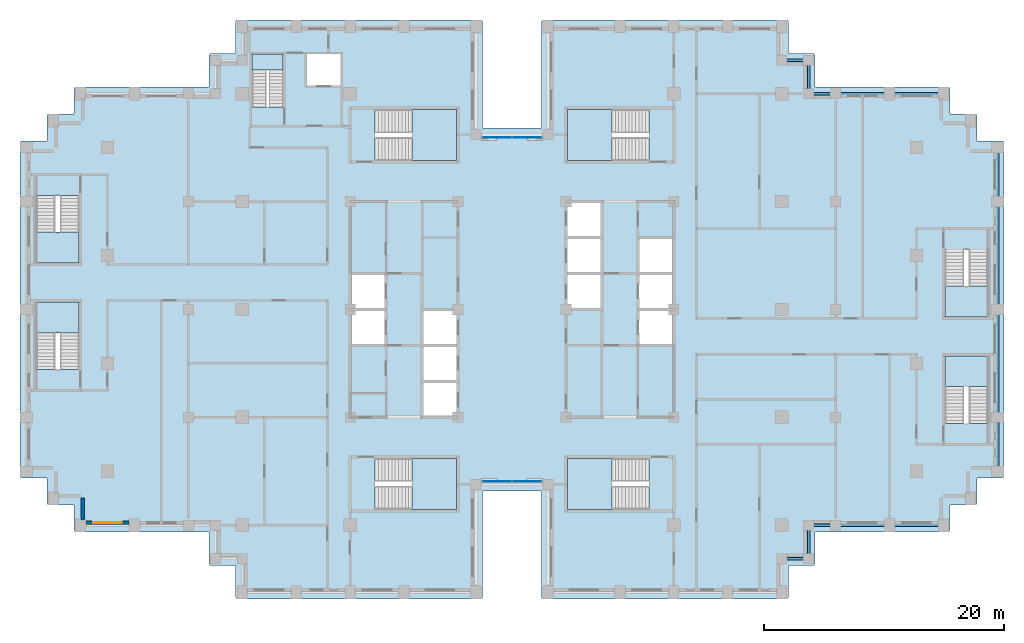
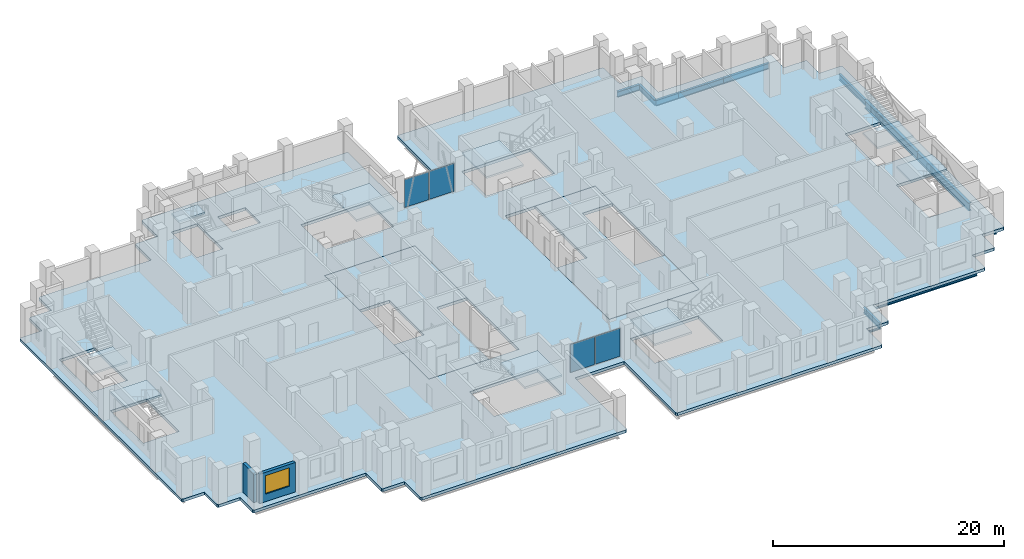
# One storey, part 5 of 16: 14 beams, 12 slabs, 4 plates, 2 walls, 1 window, 1 opening, 11 elements without a shape of their own.
"""IFC4 building model written with IfcOpenShell, lengths in metres."""

from ifc_helpers import new_model, si_unit, direction, frame, frame_2d, origin, origin_2d, place, context, subcontext, project, spatial, polyline, rectangle, i_section, outline, extrude, material, layer, layer_set, material_profile, profile_set, type_object, element, fill, aggregate, save


model = new_model("IFC4")

# Units and contexts
model_context = context("Model", 3, precision=1e-05, world=origin(), true_north=direction((0.0, 1.0)))
body_context = subcontext(model_context, "Body", "Model", "MODEL_VIEW")
ifc_project = project(units=[si_unit("LENGTHUNIT", "METRE"), si_unit("AREAUNIT", "SQUARE_METRE"), si_unit("VOLUMEUNIT", "CUBIC_METRE"), si_unit("PLANEANGLEUNIT", "RADIAN"), si_unit("MASSUNIT", "GRAM", prefix="KILO")], contexts=[model_context])

# Site, building, storey
site_placement = place(None, origin())
site = spatial("IfcSite", under=ifc_project, at=site_placement, CompositionType="ELEMENT")
building_placement = place(site_placement, origin())
building = spatial("IfcBuilding", under=site, at=building_placement, Name="Corbelhall Arena Tower", CompositionType="ELEMENT")
storey_placement = place(building_placement, frame((0.0, 0.0, 170.0)))
storey = spatial("IfcBuildingStorey", under=building, at=storey_placement, Name="L34", CompositionType="ELEMENT", Elevation=170.0)

# Beams
ifc_material_1 = material(Name="Steel ASTM A992 Gr50", Category="steel")
ifc_material_profile_1 = material_profile(ifc_material_1, i_section(OverallWidth=0.22900390625, OverallDepth=0.612060546875, WebThickness=0.011962890625, FlangeThickness=0.01953125, at=origin_2d()))
ifc_profile_set_1 = profile_set([ifc_material_profile_1], Name="Steel ASTM A992 Gr50")
beam_type_1 = type_object("IfcBeamType", Name="ST-SPANDREL-W24x84", PredefinedType="SPANDREL", material=ifc_profile_set_1)
for number, where, z_axis, x_axis, name in (
    (1, (40.5, 13.5, -0.60595703125), (0.0, -1.0, 0.0), (1.0, 0.0, 0.0), "Beam SP 10"),
    (2, (40.5, -9.0, -0.60595703125), (0.0, -1.0, 0.0), (1.0, 0.0, 0.0), "Beam SP 11"),
    (3, (31.5, 18.0, -0.60595703125), (1.0, 0.0, 0.0), (0.0, 1.0, 0.0), "Beam SP 12"),
    (4, (31.5, -18.0, -0.60595703125), (-1.0, 0.0, 0.0), (0.0, -1.0, 0.0), "Beam SP 13"),
    (5, (36.0, -18.0, -0.60595703125), (-1.0, 0.0, 0.0), (0.0, -1.0, 0.0), "Beam SP 14"),
    (6, (27.0, 18.0, -0.60595703125), (1.0, 0.0, 0.0), (0.0, 1.0, 0.0), "Beam SP 15"),
):
    element("IfcBeam", number, at=place(storey_placement, frame(where, z_axis=z_axis, x_axis=x_axis)), inside=storey, type_object=beam_type_1, Name=name, PredefinedType="SPANDREL", context=body_context, shape_type="SweptSolid", body=[
        extrude(i_section(OverallWidth=0.22900390625, OverallDepth=0.612060546875, WebThickness=0.011962890625, FlangeThickness=0.01953125, at=origin_2d()), origin(), (0.0, 0.0, 1.0), 4.5),
    ])
for number, where, z_axis, x_axis, name in (
    (7, (27.0, -18.0, -0.60595703125), (-1.0, 0.0, 0.0), (0.0, -1.0, 0.0), "Beam SP 16"),
    (8, (22.5, 20.800048828125, -0.60595703125), (1.0, 0.0, 0.0), (0.0, 1.0, 0.0), "Beam SP 43"),
):
    element("IfcBeam", number, at=place(storey_placement, frame(where, z_axis=z_axis, x_axis=x_axis)), inside=storey, type_object=beam_type_1, Name=name, PredefinedType="SPANDREL", context=body_context, shape_type="SweptSolid", body=[
        extrude(i_section(OverallWidth=0.22900390625, OverallDepth=0.612060546875, WebThickness=0.011962890625, FlangeThickness=0.01953125, at=origin_2d()), origin(), (0.0, 0.0, 1.0), 2.25),
    ])
beam_1_placement = place(storey_placement, frame((24.75, 20.800048828125, -0.60595703125), z_axis=(0.0, -1.0, 0.0), x_axis=(1.0, 0.0, 0.0)))
element("IfcBeam", 9, at=beam_1_placement, inside=storey, type_object=beam_type_1, Name="Beam SP 44", PredefinedType="SPANDREL", context=body_context, shape_type="SweptSolid", body=[
    extrude(i_section(OverallWidth=0.22900390625, OverallDepth=0.612060546875, WebThickness=0.011962890625, FlangeThickness=0.01953125, at=origin_2d()), origin(), (0.0, 0.0, 1.0), 2.800048828125),
])
for number, where, z_axis, x_axis, name in (
    (10, (24.75, 18.0, -0.60595703125), (1.0, 0.0, 0.0), (0.0, 1.0, 0.0), "Beam SP 45"),
    (11, (24.75, -20.800048828125, -0.60595703125), (-1.0, 0.0, 0.0), (0.0, -1.0, 0.0), "Beam SP 50"),
):
    element("IfcBeam", number, at=place(storey_placement, frame(where, z_axis=z_axis, x_axis=x_axis)), inside=storey, type_object=beam_type_1, Name=name, PredefinedType="SPANDREL", context=body_context, shape_type="SweptSolid", body=[
        extrude(i_section(OverallWidth=0.22900390625, OverallDepth=0.612060546875, WebThickness=0.011962890625, FlangeThickness=0.01953125, at=origin_2d()), origin(), (0.0, 0.0, 1.0), 2.25),
    ])
beam_2_placement = place(storey_placement, frame((24.75, -18.0, -0.60595703125), z_axis=(0.0, -1.0, 0.0), x_axis=(1.0, 0.0, 0.0)))
element("IfcBeam", 12, at=beam_2_placement, inside=storey, type_object=beam_type_1, Name="Beam SP 51", PredefinedType="SPANDREL", context=body_context, shape_type="SweptSolid", body=[
    extrude(i_section(OverallWidth=0.22900390625, OverallDepth=0.612060546875, WebThickness=0.011962890625, FlangeThickness=0.01953125, at=origin_2d()), origin(), (0.0, 0.0, 1.0), 2.800048828125),
])
ifc_material_profile_2 = material_profile(ifc_material_1, i_section(OverallWidth=0.2919921875, OverallDepth=0.845703125, WebThickness=0.015380859375, FlangeThickness=0.0244140625, at=origin_2d()))
ifc_profile_set_2 = profile_set([ifc_material_profile_2], Name="Steel ASTM A992 Gr50")
beam_type_2 = type_object("IfcBeamType", Name="ST-SPANDREL-W33x141", PredefinedType="SPANDREL", material=ifc_profile_set_2)
for number, where, z_axis, x_axis, name in (
    (13, (40.5, 0.0, -0.722900390625), (0.0, -1.0, 0.0), (1.0, 0.0, 0.0), "Beam SP 8"),
    (14, (40.5, 9.0, -0.722900390625), (0.0, -1.0, 0.0), (1.0, 0.0, 0.0), "Beam SP 9"),
):
    element("IfcBeam", number, at=place(storey_placement, frame(where, z_axis=z_axis, x_axis=x_axis)), inside=storey, type_object=beam_type_2, Name=name, PredefinedType="SPANDREL", context=body_context, shape_type="SweptSolid", body=[
        extrude(i_section(OverallWidth=0.2919921875, OverallDepth=0.845703125, WebThickness=0.015380859375, FlangeThickness=0.0244140625, at=origin_2d()), origin(), (0.0, 0.0, 1.0), 9.0),
    ])

# Curtain wall, plates
ifc_material_2 = material(Name="Aluminium black anodised", Category="aluminium")
ifc_layer_1 = layer(ifc_material_2, 0.199951171875)
ifc_layer_set_1 = layer_set([ifc_layer_1], Name="EV-CW1 Slot back wall")
curtain_wall_type = type_object("IfcCurtainWallType", Name="EV-CW1 Slot back wall", PredefinedType="NOTDEFINED", material=ifc_layer_set_1)
curtain_wall_1_placement = place(storey_placement, origin())
curtain_wall_1 = element("IfcCurtainWall", 15, at=curtain_wall_1_placement, inside=storey, type_object=curtain_wall_type, Name="Curtain wall CW1", PredefinedType="NOTDEFINED")
ifc_material_3 = material(Name="Glass dark tinted laminated", Category="glass")
ifc_layer_2 = layer(ifc_material_3, 0.028076171875)
ifc_layer_set_2 = layer_set([ifc_layer_2], Name="EV-CW1-PANEL")
plate_type = type_object("IfcPlateType", Name="EV-CW1-PANEL", PredefinedType="CURTAIN_PANEL", material=ifc_layer_set_2)
plate_1_placement = place(storey_placement, frame((-1.25634765625, -14.35009765625, 0.0751953125), z_axis=(0.0, 0.0, 1.0), x_axis=(1.0, 0.0, 0.0)))
plate_1 = element("IfcPlate", 16, at=plate_1_placement, type_object=plate_type, Name="CW1 panel 1.1", PredefinedType="CURTAIN_PANEL", context=body_context, shape_type="SweptSolid", body=[
    extrude(rectangle(XDim=2.4375, YDim=0.028076171875, at=origin_2d()), origin(), (0.0, 0.0, 1.0), 2.949951171875),
])
plate_2_placement = place(storey_placement, frame((1.25634765625, -14.35009765625, 0.0751953125), z_axis=(0.0, 0.0, 1.0), x_axis=(1.0, 0.0, 0.0)))
plate_2 = element("IfcPlate", 17, at=plate_2_placement, type_object=plate_type, Name="CW1 panel 2.1", PredefinedType="CURTAIN_PANEL", context=body_context, shape_type="SweptSolid", body=[
    extrude(rectangle(XDim=2.4375, YDim=0.028076171875, at=origin_2d()), origin(), (0.0, 0.0, 1.0), 2.949951171875),
])
aggregate(curtain_wall_1, [plate_1, plate_2])

curtain_wall_2_placement = place(storey_placement, origin())
curtain_wall_2 = element("IfcCurtainWall", 18, at=curtain_wall_2_placement, inside=storey, type_object=curtain_wall_type, Name="Curtain wall CW1", PredefinedType="NOTDEFINED")
plate_3_placement = place(storey_placement, frame((1.25634765625, 14.35009765625, 0.0751953125), z_axis=(0.0, 0.0, 1.0), x_axis=(-1.0, 0.0, 0.0)))
plate_3 = element("IfcPlate", 19, at=plate_3_placement, type_object=plate_type, Name="CW1 panel 1.1", PredefinedType="CURTAIN_PANEL", context=body_context, shape_type="SweptSolid", body=[
    extrude(rectangle(XDim=2.4375, YDim=0.028076171875, at=origin_2d()), origin(), (0.0, 0.0, 1.0), 2.949951171875),
])
plate_4_placement = place(storey_placement, frame((-1.25634765625, 14.35009765625, 0.0751953125), z_axis=(0.0, 0.0, 1.0), x_axis=(-1.0, 0.0, 0.0)))
plate_4 = element("IfcPlate", 20, at=plate_4_placement, type_object=plate_type, Name="CW1 panel 2.1", PredefinedType="CURTAIN_PANEL", context=body_context, shape_type="SweptSolid", body=[
    extrude(rectangle(XDim=2.4375, YDim=0.028076171875, at=origin_2d()), origin(), (0.0, 0.0, 1.0), 2.949951171875),
])
aggregate(curtain_wall_2, [plate_3, plate_4])

# Slabs
ifc_material_4 = material(Name="Concrete C40/50", Category="concrete")
ifc_layer_3 = layer(ifc_material_4, 0.300048828125)
ifc_layer_set_3 = layer_set([ifc_layer_3], Name="IN-SL-CORE")
slab_type_1 = type_object("IfcSlabType", Name="IN-SL-CORE", PredefinedType="FLOOR", material=ifc_layer_set_3)
slab_1_placement = place(storey_placement, frame((0.0, 0.0, -0.300048828125)))
element("IfcSlab", 21, at=slab_1_placement, inside=storey, type_object=slab_type_1, Name="Core floor W", PredefinedType="FLOOR", context=body_context, shape_type="SweptSolid", body=[
    extrude(outline(polyline([(-7.5, 0.0), (-4.5, 0.0), (-4.5, 9.0), (-13.5, 9.0), (-13.5, 3.0), (-10.5, 3.0), (-10.5, 0.0), (-10.5, -3.0), (-13.5, -3.0), (-13.5, -9.0), (-7.5, -9.0), (-7.5, -6.0), (-7.5, -3.0), (-7.5, 0.0)])), origin(), (0.0, 0.0, 1.0), 0.300048828125),
])
slab_2_placement = place(storey_placement, frame((0.0, 0.0, -0.300048828125)))
element("IfcSlab", 22, at=slab_2_placement, inside=storey, type_object=slab_type_1, Name="Core floor E", PredefinedType="FLOOR", context=body_context, shape_type="SweptSolid", body=[
    extrude(outline(polyline([(7.5, 0.0), (4.5, 0.0), (4.5, -9.0), (13.5, -9.0), (13.5, -3.0), (10.5, -3.0), (10.5, 0.0), (10.5, 3.0), (10.5, 6.0), (13.5, 6.0), (13.5, 9.0), (7.5, 9.0), (7.5, 6.0), (7.5, 3.0), (7.5, 0.0)])), origin(), (0.0, 0.0, 1.0), 0.300048828125),
])

# Stair, slab
stair_type = type_object("IfcStairType", Name="IN-ST-TOWER", PredefinedType="HALF_TURN_STAIR", material=ifc_material_4)
stair_1_placement = place(storey_placement, origin())
stair_1 = element("IfcStair", 23, at=stair_1_placement, inside=storey, type_object=stair_type, Name="L34 Exit stair ST1", PredefinedType="HALF_TURN_STAIR")
ifc_layer_4 = layer(ifc_material_4, 0.199951171875)
ifc_layer_set_4 = layer_set([ifc_layer_4], Name="IN-SL-LANDING")
slab_type_2 = type_object("IfcSlabType", Name="IN-SL-LANDING", PredefinedType="LANDING", material=ifc_layer_set_4)
slab_3_placement = place(storey_placement, frame((0.0, 0.0, 1.800048828125)))
slab_3 = element("IfcSlab", 24, at=slab_3_placement, type_object=slab_type_2, Name="ST1 landing 1", PredefinedType="LANDING", context=body_context, shape_type="SweptSolid", body=[
    extrude(outline(polyline([(-8.344970703125, 12.425048828125), (-4.625, 12.425048828125), (-4.625, 16.675048828125), (-8.344970703125, 16.675048828125), (-8.344970703125, 12.425048828125)])), origin(), (0.0, 0.0, 1.0), 0.199951171875),
])
aggregate(stair_1, [slab_3])

stair_2_placement = place(storey_placement, origin())
stair_2 = element("IfcStair", 25, at=stair_2_placement, inside=storey, type_object=stair_type, Name="L34 Exit stair ST2", PredefinedType="HALF_TURN_STAIR")
slab_4_placement = place(storey_placement, frame((0.0, 0.0, 1.800048828125)))
slab_4 = element("IfcSlab", 26, at=slab_4_placement, type_object=slab_type_2, Name="ST2 landing 1", PredefinedType="LANDING", context=body_context, shape_type="SweptSolid", body=[
    extrude(outline(polyline([(-8.344970703125, -16.675048828125), (-4.625, -16.675048828125), (-4.625, -12.425048828125), (-8.344970703125, -12.425048828125), (-8.344970703125, -16.675048828125)])), origin(), (0.0, 0.0, 1.0), 0.199951171875),
])
aggregate(stair_2, [slab_4])

stair_3_placement = place(storey_placement, origin())
stair_3 = element("IfcStair", 27, at=stair_3_placement, inside=storey, type_object=stair_type, Name="L34 Exit stair ST3", PredefinedType="HALF_TURN_STAIR")
slab_5_placement = place(storey_placement, frame((0.0, 0.0, 1.800048828125)))
slab_5 = element("IfcSlab", 28, at=slab_5_placement, type_object=slab_type_2, Name="ST3 landing 1", PredefinedType="LANDING", context=body_context, shape_type="SweptSolid", body=[
    extrude(outline(polyline([(8.344970703125, 16.675048828125), (4.625, 16.675048828125), (4.625, 12.425048828125), (8.344970703125, 12.425048828125), (8.344970703125, 16.675048828125)])), origin(), (0.0, 0.0, 1.0), 0.199951171875),
])
aggregate(stair_3, [slab_5])

stair_4_placement = place(storey_placement, origin())
stair_4 = element("IfcStair", 29, at=stair_4_placement, inside=storey, type_object=stair_type, Name="L34 Exit stair ST4", PredefinedType="HALF_TURN_STAIR")
slab_6_placement = place(storey_placement, frame((0.0, 0.0, 1.800048828125)))
slab_6 = element("IfcSlab", 30, at=slab_6_placement, type_object=slab_type_2, Name="ST4 landing 1", PredefinedType="LANDING", context=body_context, shape_type="SweptSolid", body=[
    extrude(outline(polyline([(8.344970703125, -12.425048828125), (4.625, -12.425048828125), (4.625, -16.675048828125), (8.344970703125, -16.675048828125), (8.344970703125, -12.425048828125)])), origin(), (0.0, 0.0, 1.0), 0.199951171875),
])
aggregate(stair_4, [slab_6])

stair_5_placement = place(storey_placement, origin())
stair_5 = element("IfcStair", 31, at=stair_5_placement, inside=storey, type_object=stair_type, Name="L34 Exit stair SC1", PredefinedType="HALF_TURN_STAIR")
slab_7_placement = place(storey_placement, frame((0.0, 0.0, 1.800048828125)))
slab_7 = element("IfcSlab", 32, at=slab_7_placement, type_object=slab_type_2, Name="SC1 landing 1", PredefinedType="LANDING", context=body_context, shape_type="SweptSolid", body=[
    extrude(outline(polyline([(-39.699951171875, 6.445068359375), (-39.699951171875, 3.875), (-36.125, 3.875), (-36.125, 6.445068359375), (-39.699951171875, 6.445068359375)])), origin(), (0.0, 0.0, 1.0), 0.199951171875),
])
aggregate(stair_5, [slab_7])

stair_6_placement = place(storey_placement, origin())
stair_6 = element("IfcStair", 33, at=stair_6_placement, inside=storey, type_object=stair_type, Name="L34 Exit stair SC2", PredefinedType="HALF_TURN_STAIR")
slab_8_placement = place(storey_placement, frame((0.0, 0.0, 1.800048828125)))
slab_8 = element("IfcSlab", 34, at=slab_8_placement, type_object=slab_type_2, Name="SC2 landing 1", PredefinedType="LANDING", context=body_context, shape_type="SweptSolid", body=[
    extrude(outline(polyline([(-36.125, -1.945068359375), (-36.125, 0.625), (-39.699951171875, 0.625), (-39.699951171875, -1.945068359375), (-36.125, -1.945068359375)])), origin(), (0.0, 0.0, 1.0), 0.199951171875),
])
aggregate(stair_6, [slab_8])

stair_7_placement = place(storey_placement, origin())
stair_7 = element("IfcStair", 35, at=stair_7_placement, inside=storey, type_object=stair_type, Name="L34 Exit stair SD1", PredefinedType="HALF_TURN_STAIR")
slab_9_placement = place(storey_placement, frame((0.0, 0.0, 1.800048828125)))
slab_9 = element("IfcSlab", 36, at=slab_9_placement, type_object=slab_type_2, Name="SD1 landing 1", PredefinedType="LANDING", context=body_context, shape_type="SweptSolid", body=[
    extrude(outline(polyline([(39.699951171875, -6.445068359375), (39.699951171875, -3.875), (36.125, -3.875), (36.125, -6.445068359375), (39.699951171875, -6.445068359375)])), origin(), (0.0, 0.0, 1.0), 0.199951171875),
])
aggregate(stair_7, [slab_9])

stair_8_placement = place(storey_placement, origin())
stair_8 = element("IfcStair", 37, at=stair_8_placement, inside=storey, type_object=stair_type, Name="L34 Exit stair SD2", PredefinedType="HALF_TURN_STAIR")
slab_10_placement = place(storey_placement, frame((0.0, 0.0, 1.800048828125)))
slab_10 = element("IfcSlab", 38, at=slab_10_placement, type_object=slab_type_2, Name="SD2 landing 1", PredefinedType="LANDING", context=body_context, shape_type="SweptSolid", body=[
    extrude(outline(polyline([(36.125, 1.945068359375), (36.125, -0.625), (39.699951171875, -0.625), (39.699951171875, 1.945068359375), (36.125, 1.945068359375)])), origin(), (0.0, 0.0, 1.0), 0.199951171875),
])
aggregate(stair_8, [slab_10])

stair_9_placement = place(storey_placement, origin())
stair_9 = element("IfcStair", 39, at=stair_9_placement, inside=storey, type_object=stair_type, Name="L34 Exit stair ST5", PredefinedType="HALF_TURN_STAIR")
slab_11_placement = place(storey_placement, frame((0.0, 0.0, 1.800048828125)))
slab_11 = element("IfcSlab", 40, at=slab_11_placement, type_object=slab_type_2, Name="ST5 landing 1", PredefinedType="LANDING", context=body_context, shape_type="SweptSolid", body=[
    extrude(outline(polyline([(-19.094970703125, 19.97998046875), (-19.094970703125, 21.300048828125), (-21.695068359375, 21.300048828125), (-21.695068359375, 19.97998046875), (-19.094970703125, 19.97998046875)])), origin(), (0.0, 0.0, 1.0), 0.199951171875),
])
aggregate(stair_9, [slab_11])

# Slab
ifc_layer_5 = layer(ifc_material_4, 0.300048828125)
ifc_layer_set_5 = layer_set([ifc_layer_5], Name="ST-SLAB-FLOOR-300")
slab_type_3 = type_object("IfcSlabType", Name="ST-SLAB-FLOOR-300", PredefinedType="FLOOR", material=ifc_layer_set_5)
slab_12_placement = place(storey_placement, frame((0.0, 0.0, -0.300048828125)))
element("IfcSlab", 41, at=slab_12_placement, inside=storey, type_object=slab_type_3, Name="Floor slab L34 1", PredefinedType="FLOOR", context=body_context, shape_type="SweptSolid", body=[
    extrude(outline(polyline([(25.300048828125, 18.550048828125), (25.300048828125, 21.25), (25.199951171875, 21.35009765625), (23.050048828125, 21.35009765625), (23.050048828125, 24.050048828125), (22.949951171875, 24.14990234375), (2.550048828125, 24.14990234375), (2.449951171875, 24.050048828125), (2.449951171875, 15.14990234375), (-2.449951171875, 15.14990234375), (-2.449951171875, 24.050048828125), (-2.550048828125, 24.14990234375), (-22.949951171875, 24.14990234375), (-23.050048828125, 24.050048828125), (-23.050048828125, 21.35009765625), (-25.199951171875, 21.35009765625), (-25.300048828125, 21.25), (-25.300048828125, 18.550048828125), (-36.449951171875, 18.550048828125), (-36.550048828125, 18.449951171875), (-36.550048828125, 16.300048828125), (-38.699951171875, 16.300048828125), (-38.800048828125, 16.199951171875), (-38.800048828125, 14.050048828125), (-40.949951171875, 14.050048828125), (-41.050048828125, 13.949951171875), (-41.050048828125, -13.949951171875), (-40.949951171875, -14.050048828125), (-38.800048828125, -14.050048828125), (-38.800048828125, -16.199951171875), (-38.699951171875, -16.300048828125), (-36.550048828125, -16.300048828125), (-36.550048828125, -18.449951171875), (-36.449951171875, -18.550048828125), (-25.300048828125, -18.550048828125), (-25.300048828125, -21.25), (-25.199951171875, -21.35009765625), (-23.050048828125, -21.35009765625), (-23.050048828125, -24.050048828125), (-22.949951171875, -24.14990234375), (-2.550048828125, -24.14990234375), (-2.449951171875, -24.050048828125), (-2.449951171875, -15.14990234375), (2.449951171875, -15.14990234375), (2.449951171875, -24.050048828125), (2.550048828125, -24.14990234375), (22.949951171875, -24.14990234375), (23.050048828125, -24.050048828125), (23.050048828125, -21.35009765625), (25.199951171875, -21.35009765625), (25.300048828125, -21.25), (25.300048828125, -18.550048828125), (36.449951171875, -18.550048828125), (36.550048828125, -18.449951171875), (36.550048828125, -16.300048828125), (38.699951171875, -16.300048828125), (38.800048828125, -16.199951171875), (38.800048828125, -14.050048828125), (40.949951171875, -14.050048828125), (41.050048828125, -13.949951171875), (41.050048828125, 13.949951171875), (40.949951171875, 14.050048828125), (38.800048828125, 14.050048828125), (38.800048828125, 16.199951171875), (38.699951171875, 16.300048828125), (36.550048828125, 16.300048828125), (36.550048828125, 18.449951171875), (36.449951171875, 18.550048828125), (25.300048828125, 18.550048828125)]), holes=[polyline([(-13.5, 9.0), (-13.5, -9.0), (-4.5, -9.0), (-4.5, 9.0), (-13.5, 9.0)]), polyline([(4.5, 9.0), (4.5, -9.0), (13.5, -9.0), (13.5, 9.0), (4.5, 9.0)]), polyline([(-4.625, 16.675048828125), (-11.422119140625, 16.675048828125), (-11.422119140625, 12.425048828125), (-4.625, 12.425048828125), (-4.625, 16.675048828125)]), polyline([(-4.625, -16.675048828125), (-4.625, -12.425048828125), (-11.422119140625, -12.425048828125), (-11.422119140625, -16.675048828125), (-4.625, -16.675048828125)]), polyline([(11.422119140625, 16.675048828125), (4.625, 16.675048828125), (4.625, 12.425048828125), (11.422119140625, 12.425048828125), (11.422119140625, 16.675048828125)]), polyline([(11.422119140625, -16.675048828125), (11.422119140625, -12.425048828125), (4.625, -12.425048828125), (4.625, -16.675048828125), (11.422119140625, -16.675048828125)]), polyline([(-36.125, 3.875), (-36.125, 9.52197265625), (-39.699951171875, 9.52197265625), (-39.699951171875, 3.875), (-36.125, 3.875)]), polyline([(-36.125, 0.625), (-39.699951171875, 0.625), (-39.699951171875, -5.02197265625), (-36.125, -5.02197265625), (-36.125, 0.625)]), polyline([(39.699951171875, -9.52197265625), (39.699951171875, -3.875), (36.125, -3.875), (36.125, -9.52197265625), (39.699951171875, -9.52197265625)]), polyline([(39.699951171875, 5.02197265625), (36.125, 5.02197265625), (36.125, -0.625), (39.699951171875, -0.625), (39.699951171875, 5.02197265625)]), polyline([(-21.695068359375, 21.300048828125), (-21.695068359375, 16.903076171875), (-19.094970703125, 16.903076171875), (-19.094970703125, 21.300048828125), (-21.695068359375, 21.300048828125)]), polyline([(-14.300048828125, 21.300048828125), (-17.10009765625, 21.300048828125), (-17.10009765625, 18.699951171875), (-14.300048828125, 18.699951171875), (-14.300048828125, 21.300048828125)])]), origin(), (0.0, 0.0, 1.0), 0.300048828125),
])

# Wall
ifc_material_5 = material(Name="Precast concrete C40/50 with granite facing", Category="masonry")
ifc_layer_6 = layer(ifc_material_5, 0.300048828125)
ifc_layer_set_6 = layer_set([ifc_layer_6], Name="EV-IW1 Infill panel 300")
wall_type = type_object("IfcWallType", Name="EV-IW1 Infill panel 300", PredefinedType="SOLIDWALL", material=ifc_layer_set_6)
wall_1_placement = place(storey_placement, frame((-35.800048828125, -17.550048828125, 0.0), z_axis=(0.0, 0.0, 1.0), x_axis=(0.0, 1.0, 0.0)))
element("IfcWall", 42, at=wall_1_placement, inside=storey, type_object=wall_type, Name="Infill panel IW1", PredefinedType="SOLIDWALL", context=body_context, shape_type="SweptSolid", body=[
    extrude(rectangle(XDim=1.800048828125, YDim=0.300048828125, at=frame_2d((0.89990234375, 0.0))), origin(), (0.0, 0.0, 1.0), 3.10009765625),
])

# Wall, opening, window
wall_2_placement = place(storey_placement, frame((-35.550048828125, -17.800048828125, 0.0), z_axis=(0.0, 0.0, 1.0), x_axis=(1.0, 0.0, 0.0)))
wall_2 = element("IfcWall", 43, at=wall_2_placement, inside=storey, type_object=wall_type, Name="Infill panel IW1", PredefinedType="SOLIDWALL", context=body_context, shape_type="SweptSolid", body=[
    extrude(rectangle(XDim=3.60009765625, YDim=0.300048828125, at=frame_2d((1.800048828125, 0.0))), origin(), (0.0, 0.0, 1.0), 3.10009765625),
])
opening_placement = place(wall_2_placement, frame((0.60009765625, 0.0, 0.800048828125)))
opening = element("IfcOpeningElement", 44, at=opening_placement, cuts=wall_2, Name="Opening WN1", PredefinedType="OPENING", context=body_context, shape_type="SweptSolid", body=[
    extrude(rectangle(XDim=2.39990234375, YDim=1.949951171875, at=frame_2d((1.199951171875, 0.97509765625))), frame((0.0, 0.14990234375, 0.0), z_axis=(0.0, -1.0, 0.0), x_axis=(1.0, 0.0, 0.0)), (0.0, 0.0, 1.0), 0.300048828125),
])
window_type = type_object("IfcWindowType", Name="EV-WN1 Office window", PartitioningType="SINGLE_PANEL", PredefinedType="WINDOW", material=ifc_material_2)
window_placement = place(opening_placement, origin())
window = element("IfcWindow", 45, at=window_placement, inside=storey, type_object=window_type, Name="Window WN1", OverallHeight=1.949951171875, OverallWidth=2.39990234375, PartitioningType="SINGLE_PANEL", PredefinedType="WINDOW", context=body_context, shape_type="SweptSolid", body=[
    extrude(rectangle(XDim=2.39990234375, YDim=1.949951171875, at=frame_2d((1.199951171875, 0.97509765625))), frame((0.0, 0.030029296875, 0.0), z_axis=(0.0, -1.0, 0.0), x_axis=(1.0, 0.0, 0.0)), (0.0, 0.0, 1.0), 0.06005859375),
])
fill(opening, window)

save(model, "model.ifc")
